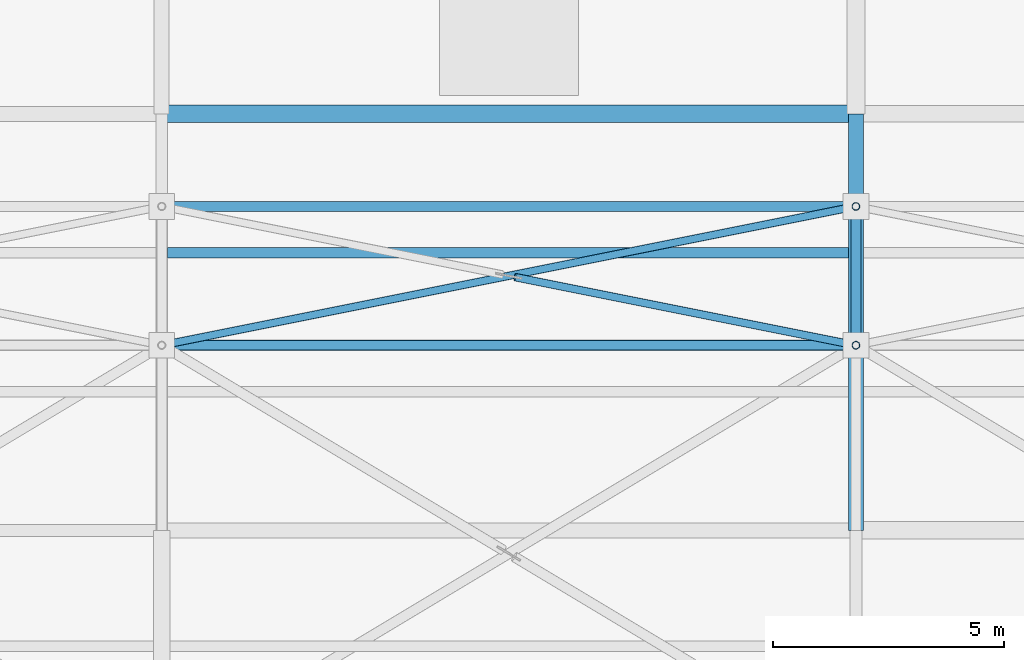
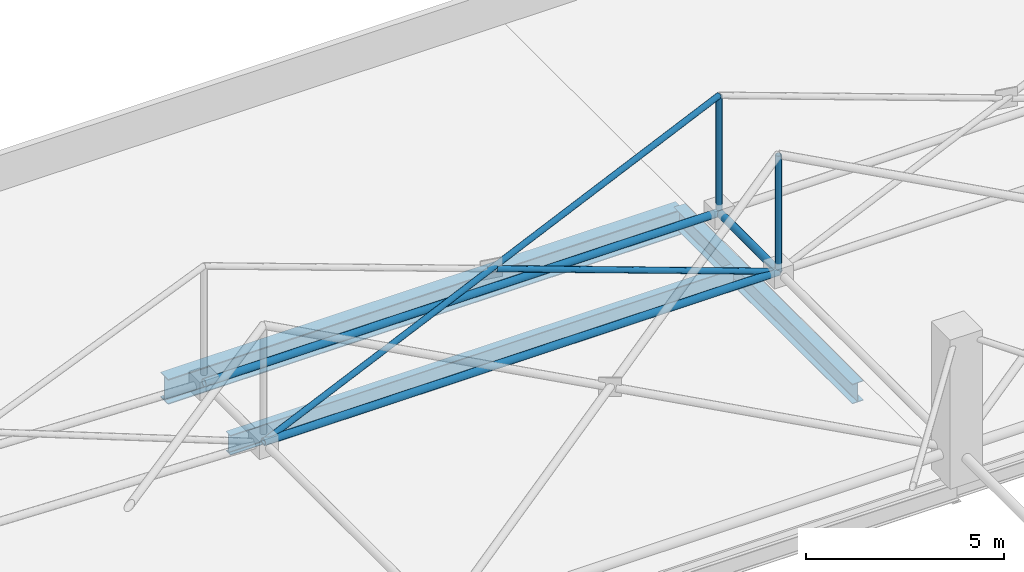
# One storey, part 114 of 224: 7 members, 3 beams.
"""IFC4 building model written with IfcOpenShell, lengths in metres."""

from ifc_helpers import new_model, si_unit, direction, frame, origin, origin_2d, place, context, subcontext, project, spatial, hollow_circle, i_section, extrude, material, material_profile, profile_set, type_object, element, save


model = new_model("IFC4")

# Units and contexts
model_context = context("Model", 3, precision=1e-05, world=origin(), true_north=direction((0.0, 1.0)))
body_context = subcontext(model_context, "Body", "Model", "MODEL_VIEW")
ifc_project = project(units=[si_unit("LENGTHUNIT", "METRE"), si_unit("AREAUNIT", "SQUARE_METRE"), si_unit("VOLUMEUNIT", "CUBIC_METRE"), si_unit("PLANEANGLEUNIT", "RADIAN"), si_unit("MASSUNIT", "GRAM", prefix="KILO")], contexts=[model_context])

# Site, building, storey
site_placement = place(None, origin())
site = spatial("IfcSite", under=ifc_project, at=site_placement, CompositionType="ELEMENT")
building_placement = place(site_placement, origin())
building = spatial("IfcBuilding", under=site, at=building_placement, Name="Qamarlyn Nura Convention Centre", CompositionType="ELEMENT")
storey_placement = place(building_placement, frame((0.0, 0.0, 10.800048828125)))
storey = spatial("IfcBuildingStorey", under=building, at=storey_placement, Name="L02", CompositionType="ELEMENT", Elevation=10.800048828125)

# Beams
ifc_material_1 = material(Name="Steel ASTM A992", Category="steel")
ifc_material_profile_1 = material_profile(ifc_material_1, i_section(OverallWidth=0.323974609375, OverallDepth=0.611083984375, WebThickness=0.0126953125, FlangeThickness=0.01904296875, FilletRadius=0.01611328125, at=origin_2d()), Name="W610X155")
ifc_profile_set_1 = profile_set([ifc_material_profile_1], Name="Steel ASTM A992")
beam_type_1 = type_object("IfcBeamType", Name="BM-GIRD-610", PredefinedType="BEAM", material=ifc_profile_set_1)
beam_1_placement = place(storey_placement, frame((60.0, 108.0, -0.50048828125), z_axis=(0.0, 1.0, 0.0), x_axis=(-1.0, 0.0, 0.0)))
element("IfcBeam", 1, at=beam_1_placement, inside=storey, type_object=beam_type_1, Name="L02 girder 5 N-P", PredefinedType="BEAM", context=body_context, shape_type="SweptSolid", body=[
    extrude(i_section(OverallWidth=0.323974609375, OverallDepth=0.611083984375, WebThickness=0.0126953125, FlangeThickness=0.01904296875, FilletRadius=0.01611328125, at=origin_2d()), origin(), (0.0, 0.0, 1.0), 9.0),
])
ifc_material_profile_2 = material_profile(ifc_material_1, i_section(OverallWidth=0.381103515625, OverallDepth=0.77294921875, WebThickness=0.0166015625, FlangeThickness=0.027587890625, FilletRadius=0.02001953125, at=origin_2d()), Name="W760X257")
ifc_profile_set_2 = profile_set([ifc_material_profile_2], Name="Steel ASTM A992")
beam_type_2 = type_object("IfcBeamType", Name="BM-GIRD-760", PredefinedType="BEAM", material=ifc_profile_set_2)
beam_2_placement = place(storey_placement, frame((45.0, 117.0, -0.58154296875), z_axis=(1.0, 0.0, 0.0), x_axis=(0.0, 1.0, 0.0)))
element("IfcBeam", 2, at=beam_2_placement, inside=storey, type_object=beam_type_2, Name="L02 girder P 4-5", PredefinedType="BEAM", context=body_context, shape_type="SweptSolid", body=[
    extrude(i_section(OverallWidth=0.381103515625, OverallDepth=0.77294921875, WebThickness=0.0166015625, FlangeThickness=0.027587890625, FilletRadius=0.02001953125, at=origin_2d()), origin(), (0.0, 0.0, 1.0), 15.0),
])
ifc_material_profile_3 = material_profile(ifc_material_1, i_section(OverallWidth=0.22802734375, OverallDepth=0.60791015625, WebThickness=0.01123046875, FlangeThickness=0.017333984375, FilletRadius=0.01611328125, at=origin_2d()), Name="W610X113")
ifc_profile_set_3 = profile_set([ifc_material_profile_3], Name="Steel ASTM A992")
beam_type_3 = type_object("IfcBeamType", Name="BM-JOIST-610", PredefinedType="JOIST", material=ifc_profile_set_3)
beam_3_placement = place(storey_placement, frame((45.126953125, 114.0, -0.4990234375), z_axis=(1.0, 0.0, 0.0), x_axis=(0.0, 1.0, 0.0)))
element("IfcBeam", 3, at=beam_3_placement, inside=storey, type_object=beam_type_3, Name="L02 composite joist 4-5/N+2", PredefinedType="JOIST", context=body_context, shape_type="SweptSolid", body=[
    extrude(i_section(OverallWidth=0.22802734375, OverallDepth=0.60791015625, WebThickness=0.01123046875, FlangeThickness=0.017333984375, FilletRadius=0.01611328125, at=origin_2d()), origin(), (0.0, 0.0, 1.0), 14.7109375),
])

# Members
ifc_material_2 = material(Name="Pearl-white PVDF steel ASTM A500 Grade C", Category="steel")
ifc_material_profile_4 = material_profile(ifc_material_2, hollow_circle(Radius=0.109619140625, WallThickness=0.010009765625, at=origin_2d()), Name="CHS219.1X10")
ifc_profile_set_4 = profile_set([ifc_material_profile_4], Name="Pearl-white PVDF steel ASTM A500 Grade C")
member_type_1 = type_object("IfcMemberType", Name="SF-BC-EAVE", PredefinedType="CHORD", material=ifc_profile_set_4)
for number, where, z_axis, x_axis, name in (
    (4, (45.0, 112.0, 0.800048828125), (1.0, 0.0, 0.0), (0.0, 1.0, 0.0), "ROOF TRUSS space frame bottom chord X5-8"),
    (5, (45.0, 115.0, 0.800048828125), (1.0, 0.0, 0.0), (0.0, 1.0, 0.0), "ROOF TRUSS space frame bottom chord X5-9"),
):
    element("IfcMember", number, at=place(storey_placement, frame(where, z_axis=z_axis, x_axis=x_axis)), inside=storey, type_object=member_type_1, Name=name, PredefinedType="CHORD", context=body_context, shape_type="SweptSolid", body=[
        extrude(hollow_circle(Radius=0.109619140625, WallThickness=0.010009765625, at=origin_2d()), origin(), (0.0, 0.0, 1.0), 15.0),
    ])
member_1_placement = place(storey_placement, frame((60.0, 112.0, 0.800048828125), z_axis=(0.0, 1.0, 0.0), x_axis=(-1.0, 0.0, 0.0)))
element("IfcMember", 6, at=member_1_placement, inside=storey, type_object=member_type_1, Name="ROOF TRUSS space frame bottom chord Y6-8", PredefinedType="CHORD", context=body_context, shape_type="SweptSolid", body=[
    extrude(hollow_circle(Radius=0.109619140625, WallThickness=0.010009765625, at=origin_2d()), origin(), (0.0, 0.0, 1.0), 3.0),
])
ifc_material_profile_5 = material_profile(ifc_material_2, hollow_circle(Radius=0.084228515625, WallThickness=0.008056640625, at=origin_2d()), Name="CHS168.3X8")
ifc_profile_set_5 = profile_set([ifc_material_profile_5], Name="Pearl-white PVDF steel ASTM A500 Grade C")
member_type_2 = type_object("IfcMemberType", Name="SF-WEB-STD", PredefinedType="BRACE", material=ifc_profile_set_5)
member_2_placement = place(storey_placement, frame((45.0, 112.0, 0.800048828125), z_axis=(0.954506473559, 0.190901294712, 0.229072232302), x_axis=(-0.196116135138, 0.980580675691, 0.0)))
element("IfcMember", 7, at=member_2_placement, inside=storey, type_object=member_type_2, Name="ROOF TRUSS space frame diagonal A 5-8", PredefinedType="BRACE", context=body_context, shape_type="SweptSolid", body=[
    extrude(hollow_circle(Radius=0.084228515625, WallThickness=0.008056640625, at=origin_2d()), origin(), (0.0, 0.0, 1.0), 15.71484375),
])
member_3_placement = place(storey_placement, frame((60.0, 112.0, 0.800048828125), z_axis=(-0.954505726398, 0.190913799053, 0.229064924431), x_axis=(-0.196128634557, -0.980578175724, 0.0)))
element("IfcMember", 8, at=member_3_placement, inside=storey, type_object=member_type_2, Name="ROOF TRUSS space frame split diagonal B1 5-8", PredefinedType="BRACE", context=body_context, shape_type="SweptSolid", body=[
    extrude(hollow_circle(Radius=0.084228515625, WallThickness=0.008056640625, at=origin_2d()), origin(), (0.0, 0.0, 1.0), 7.717529296875),
])
for number, where, z_axis, x_axis, name in (
    (9, (60.0, 112.0, 0.800048828125), (0.0, 0.0, 1.0), (1.0, 0.0, 0.0), "ROOF TRUSS space frame vertical 6-8"),
    (10, (60.0, 115.0, 0.800048828125), (0.0, 0.0, 1.0), (1.0, 0.0, 0.0), "ROOF TRUSS space frame vertical 6-9"),
):
    element("IfcMember", number, at=place(storey_placement, frame(where, z_axis=z_axis, x_axis=x_axis)), inside=storey, type_object=member_type_2, Name=name, PredefinedType="BRACE", context=body_context, shape_type="SweptSolid", body=[
        extrude(hollow_circle(Radius=0.084228515625, WallThickness=0.008056640625, at=origin_2d()), origin(), (0.0, 0.0, 1.0), 3.599853515625),
    ])

save(model, "model.ifc")
